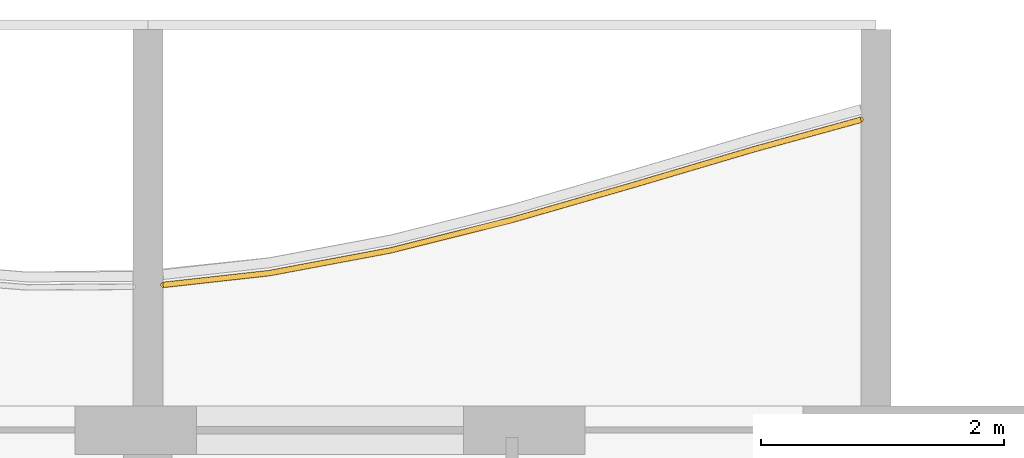
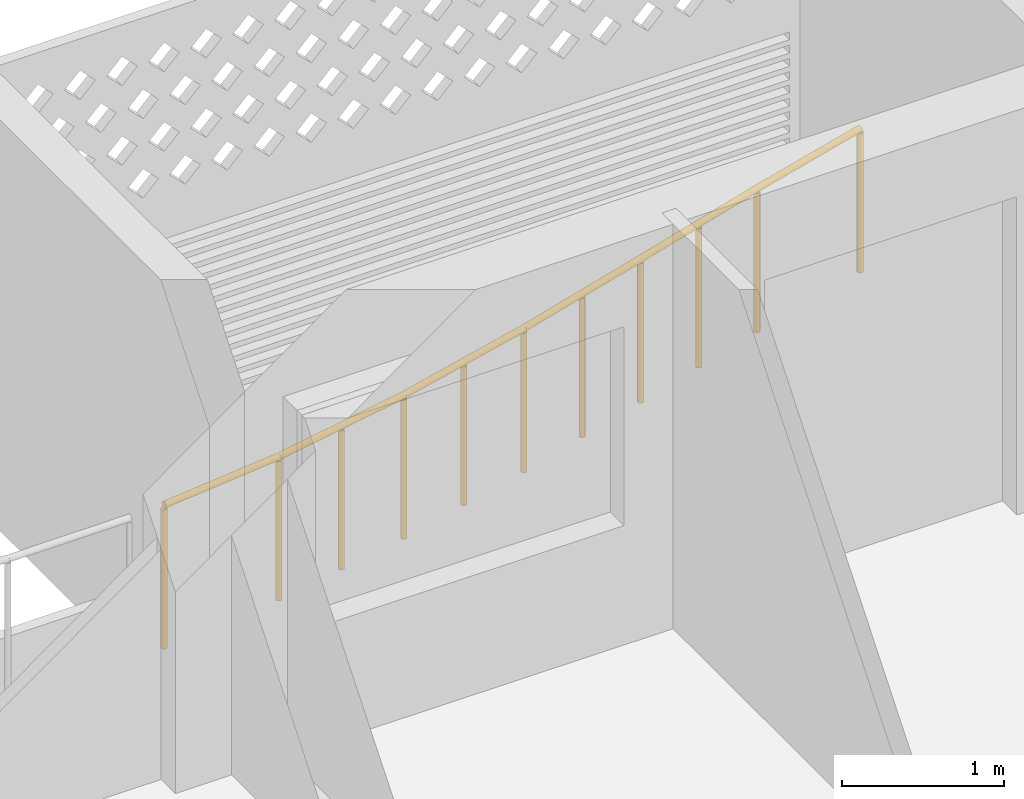
# One storey, part 37 of 38: 1 railing.
"""IFC4 building model written with IfcOpenShell, lengths in metres."""

import ifcopenshell
import ifcopenshell.guid

model = None  # the IFC model being written
_history = None  # IfcOwnerHistory: only IFC2X3 demands one
_inside = {}  # id of a spatial element -> (the spatial element, [elements in it])
_under = {}  # id of a project, library or spatial element -> (it, [spatial elements below it])
_declared = {}  # id of a project -> (the project, [libraries it declares])
_typed = {}  # id of a type object -> (the type object, [elements of that type])
_made_of = {}  # id of a material, layer set ... -> (it, [elements and type objects made of it])


def new_model(schema):
    """Start an empty IFC model of exactly this schema.

    Asked for "IFC4X3", IfcOpenShell would pick the latest addendum, in which some entities
    have other attributes; the version numbers below select the first issue.
    IFC2X3 requires an IfcOwnerHistory on every rooted entity: one is made here for all.
    """
    global model, _history
    if schema == "IFC4X3":
        model = ifcopenshell.file(schema_version=(4, 3, 0, 0))
    else:
        model = ifcopenshell.file(schema=schema)
    _inside.clear()
    _under.clear()
    _declared.clear()
    _typed.clear()
    _made_of.clear()
    _history = None
    if model.schema == "IFC2X3":
        org = make("IfcOrganization", Name="unknown")
        user = make(
            "IfcPersonAndOrganization",
            ThePerson=make("IfcPerson", FamilyName="unknown"),
            TheOrganization=org,
        )
        app = make(
            "IfcApplication",
            ApplicationDeveloper=org,
            Version="unknown",
            ApplicationFullName="unknown",
            ApplicationIdentifier="unknown",
        )
        _history = make(
            "IfcOwnerHistory",
            OwningUser=user,
            OwningApplication=app,
            ChangeAction="ADDED",
            CreationDate=0,
        )
    return model


def make(cls, **values):
    """One entity of the class cls with the attributes given. An attribute that is None is left unset."""
    return model.create_entity(
        cls, **{name: value for name, value in values.items() if value is not None}
    )


def rooted(cls, **values):
    """An entity with a GlobalId (a new one), such as an element, a storey or a relation."""
    return make(cls, GlobalId=ifcopenshell.guid.new(), OwnerHistory=_history, **values)


def si_unit(unit_type, name, prefix=None):
    """IfcSIUnit, for example si_unit("LENGTHUNIT", "METRE", prefix="MILLI")."""
    return make("IfcSIUnit", UnitType=unit_type, Prefix=prefix, Name=name)


def assignment(units):
    """IfcUnitAssignment: the units of a project."""
    return None if units is None else make("IfcUnitAssignment", Units=units)


def point(xyz):
    """IfcCartesianPoint."""
    return None if xyz is None else make("IfcCartesianPoint", Coordinates=xyz)


def direction(xyz):
    """IfcDirection."""
    return None if xyz is None else make("IfcDirection", DirectionRatios=xyz)


def frame(location, z_axis=None, x_axis=None):
    """IfcAxis2Placement3D, a coordinate frame: its origin and axes. An axis left out is left unset."""
    return make(
        "IfcAxis2Placement3D",
        Location=point(location),
        Axis=direction(z_axis),
        RefDirection=direction(x_axis),
    )


def frame_2d(location, x_axis=None):
    """IfcAxis2Placement2D, a coordinate frame in the plane: its origin and x axis."""
    return make(
        "IfcAxis2Placement2D", Location=point(location), RefDirection=direction(x_axis)
    )


def origin():
    """The frame at (0, 0, 0) with its axes left unset."""
    return frame((0.0, 0.0, 0.0))


def origin_2d():
    """The frame at (0, 0) in the plane with its x axis left unset."""
    return frame_2d((0.0, 0.0))


def place(relative_to, where):
    """IfcLocalPlacement: puts the frame where relative to a parent placement (None: the world)."""
    return make(
        "IfcLocalPlacement", PlacementRelTo=relative_to, RelativePlacement=where
    )


def context(
    kind, dimensions, precision=None, world=None, true_north=None, identifier=None
):
    """IfcGeometricRepresentationContext, for example the 3D "Model" context."""
    return make(
        "IfcGeometricRepresentationContext",
        ContextIdentifier=identifier,
        ContextType=kind,
        CoordinateSpaceDimension=dimensions,
        Precision=precision,
        WorldCoordinateSystem=world,
        TrueNorth=true_north,
    )


def subcontext(parent, identifier, kind, view, scale=None):
    """IfcGeometricRepresentationSubContext, for example "Body" below "Model"."""
    return make(
        "IfcGeometricRepresentationSubContext",
        ContextIdentifier=identifier,
        ContextType=kind,
        ParentContext=parent,
        TargetScale=scale,
        TargetView=view,
    )


def project(units=None, contexts=None):
    """IfcProject with its units and contexts."""
    return rooted(
        "IfcProject",
        Name="project",
        RepresentationContexts=contexts,
        UnitsInContext=assignment(units),
    )


def spatial(cls, under=None, at=None, **own):
    """A site, building, storey or space (cls), placed at a placement, below another one or the project."""
    s = rooted(cls, ObjectPlacement=at, **own)
    if under is not None:
        _under.setdefault(under.id(), (under, []))[1].append(s)
    return s


def profile(cls, at=None, kind="AREA", **sizes):
    """A parametric profile (cls). Its sizes go by their IFC names, for example OverallWidth=200.0."""
    return make(cls, ProfileType=kind, Position=at, **sizes)


def circle(**sizes):
    """IfcCircleProfileDef."""
    return profile("IfcCircleProfileDef", **sizes)


def extrude(swept, where, along, depth):
    """IfcExtrudedAreaSolid: the profile swept, set in the frame where, extruded along a direction by depth."""
    return make(
        "IfcExtrudedAreaSolid",
        SweptArea=swept,
        Position=where,
        ExtrudedDirection=direction(along),
        Depth=depth,
    )


def shape(context_of_items, identifier, shape_type, items):
    """IfcShapeRepresentation: the items that make up one representation, for example the "Body"."""
    return make(
        "IfcShapeRepresentation",
        ContextOfItems=context_of_items,
        RepresentationIdentifier=identifier,
        RepresentationType=shape_type,
        Items=items,
    )


def material(Name=None, Category=None):
    """IfcMaterial."""
    return make("IfcMaterial", Name=Name, Category=Category)


def made_of(thing, what):
    """Note that an element or type object is made of a material, layer set ...; save() writes the relation."""
    if what is not None:
        _made_of.setdefault(what.id(), (what, []))[1].append(thing)
    return thing


def type_object(cls, material=None, **own):
    """A type object (cls), such as IfcWallType, which elements share."""
    return made_of(rooted(cls, **own), material)


def element(
    cls,
    number,
    at=None,
    inside=None,
    cuts=None,
    type_object=None,
    material=None,
    context=None,
    identifier="Body",
    shape_type=None,
    held_by="IfcProductDefinitionShape",
    body=None,
    shapes=None,
    **own,
):
    """One element of the class cls, such as IfcWall. Its Tag is "e" and its number.

    at: its placement. inside: the storey or other place that contains it. cuts: it is an
    opening in that element (IfcRelVoidsElement). A single representation is given by context,
    identifier, shape_type and body (its items); several are given by shapes. held_by: the class
    of the entity that holds the representations. save() writes the other relations.
    """
    e = rooted(cls, Tag="e%d" % number, ObjectPlacement=at, **own)
    if body is not None:
        shapes = [shape(context, identifier, shape_type, body)]
    if shapes is not None:
        e.Representation = make(held_by, Representations=shapes)
    if inside is not None:
        _inside.setdefault(inside.id(), (inside, []))[1].append(e)
    if cuts is not None:
        rooted(
            "IfcRelVoidsElement", RelatingBuildingElement=cuts, RelatedOpeningElement=e
        )
    if type_object is not None:
        _typed.setdefault(type_object.id(), (type_object, []))[1].append(e)
    return made_of(e, material)


def aggregate(whole, parts):
    """IfcRelAggregates: a whole, such as a stair, and the parts it consists of."""
    return rooted("IfcRelAggregates", RelatingObject=whole, RelatedObjects=parts)


def save(model, path):
    """Write the relations noted so far, then the file.

    IfcRelAggregates (storeys below a building ...), IfcRelContainedInSpatialStructure (elements
    in a storey), IfcRelDefinesByType, IfcRelAssociatesMaterial and IfcRelDeclares: one each for
    every whole, place, type object, material and project.
    """
    for whole, parts in _under.values():
        aggregate(whole, parts)
    for where, things in _inside.values():
        rooted(
            "IfcRelContainedInSpatialStructure",
            RelatedElements=things,
            RelatingStructure=where,
        )
    for kind, things in _typed.values():
        rooted("IfcRelDefinesByType", RelatedObjects=things, RelatingType=kind)
    for what, things in _made_of.values():
        rooted("IfcRelAssociatesMaterial", RelatedObjects=things, RelatingMaterial=what)
    for by, libraries in _declared.values():
        rooted("IfcRelDeclares", RelatingContext=by, RelatedDefinitions=libraries)
    model.write(path)


model = new_model("IFC4")

# Units and contexts
model_context = context("Model", 3, precision=1e-05, world=origin(), true_north=direction((0.0, 1.0)))
body_context = subcontext(model_context, "Body", "Model", "MODEL_VIEW")
ifc_project = project(units=[si_unit("LENGTHUNIT", "METRE"), si_unit("AREAUNIT", "SQUARE_METRE"), si_unit("VOLUMEUNIT", "CUBIC_METRE"), si_unit("PLANEANGLEUNIT", "RADIAN"), si_unit("MASSUNIT", "GRAM", prefix="KILO")], contexts=[model_context])

# Site, building, storey
site_placement = place(None, origin())
site = spatial("IfcSite", under=ifc_project, at=site_placement, CompositionType="ELEMENT")
building_placement = place(site_placement, origin())
building = spatial("IfcBuilding", under=site, at=building_placement, Name="Poui Terraces", CompositionType="ELEMENT")
storey_placement = place(building_placement, frame((0.0, 0.0, 43.199951171875)))
storey = spatial("IfcBuildingStorey", under=building, at=storey_placement, Name="L11", CompositionType="ELEMENT", Elevation=43.199951171875)

# Railing
ifc_material = material(Name="Painted steel fretwork", Category="steel")
railing_type = type_object("IfcRailingType", Name="BALCONY GUARD 1100", PredefinedType="GUARDRAIL", material=ifc_material)
railing_placement = place(storey_placement, frame((90.125, 45.996826171875, 0.0)))
element("IfcRailing", 1, at=railing_placement, inside=storey, type_object=railing_type, Name="BALCONY GUARD", PredefinedType="GUARDRAIL", context=body_context, shape_type="SweptSolid", body=[
    extrude(circle(Radius=0.02392578125, at=origin_2d()), frame((0.0, 0.0, 1.076171875), z_axis=(0.993890496546, 0.110370652239, 0.0), x_axis=(-0.110370652239, 0.993890496546, 0.0)), (0.0, 0.0, 1.0), 0.88037109375),
    extrude(circle(Radius=0.02392578125, at=origin_2d()), frame((0.875, 0.09716796875, 1.076171875), z_axis=(0.982872186934, 0.18428853505, 0.0), x_axis=(-0.18428853505, 0.982872186934, 0.0)), (0.0, 0.0, 1.0), 1.017333984375),
    extrude(circle(Radius=0.02392578125, at=origin_2d()), frame((1.875, 0.28466796875, 1.076171875), z_axis=(0.969919223088, 0.243426992513, 0.0), x_axis=(-0.243426992513, 0.969919223088, 0.0)), (0.0, 0.0, 1.0), 1.031005859375),
    extrude(circle(Radius=0.02392578125, at=origin_2d()), frame((2.875, 0.53564453125, 1.076171875), z_axis=(0.960919647927, 0.276827437635, 0.0), x_axis=(-0.276827437635, 0.960919647927, 0.0)), (0.0, 0.0, 1.0), 1.040771484375),
    extrude(circle(Radius=0.02392578125, at=origin_2d()), frame((3.875, 0.82373046875, 1.076171875), z_axis=(0.958901964879, 0.283737593123, 0.0), x_axis=(-0.283737593123, 0.958901964879, 0.0)), (0.0, 0.0, 1.0), 1.04296875),
    extrude(circle(Radius=0.02392578125, at=origin_2d()), frame((4.875, 1.11962890625, 1.076171875), z_axis=(0.964109044375, 0.265506592299, 0.0), x_axis=(-0.265506592299, 0.964109044375, 0.0)), (0.0, 0.0, 1.0), 0.907470703125),
    extrude(circle(Radius=0.02099609375, at=origin_2d()), origin(), (0.0, 0.0, 1.0), 1.052001953125),
    extrude(circle(Radius=0.02099609375, at=origin_2d()), frame((0.875, 0.09716796875, 0.0)), (0.0, 0.0, 1.0), 1.052001953125),
    extrude(circle(Radius=0.02099609375, at=origin_2d()), frame((1.375, 0.19091796875, 0.0)), (0.0, 0.0, 1.0), 1.052001953125),
    extrude(circle(Radius=0.02099609375, at=origin_2d()), frame((1.875, 0.28466796875, 0.0)), (0.0, 0.0, 1.0), 1.052001953125),
    extrude(circle(Radius=0.02099609375, at=origin_2d()), frame((2.375, 0.41015625, 0.0)), (0.0, 0.0, 1.0), 1.052001953125),
    extrude(circle(Radius=0.02099609375, at=origin_2d()), frame((2.875, 0.53564453125, 0.0)), (0.0, 0.0, 1.0), 1.052001953125),
    extrude(circle(Radius=0.02099609375, at=origin_2d()), frame((3.375, 0.6796875, 0.0)), (0.0, 0.0, 1.0), 1.052001953125),
    extrude(circle(Radius=0.02099609375, at=origin_2d()), frame((3.875, 0.82373046875, 0.0)), (0.0, 0.0, 1.0), 1.052001953125),
    extrude(circle(Radius=0.02099609375, at=origin_2d()), frame((4.375, 0.9716796875, 0.0)), (0.0, 0.0, 1.0), 1.052001953125),
    extrude(circle(Radius=0.02099609375, at=origin_2d()), frame((4.875, 1.11962890625, 0.0)), (0.0, 0.0, 1.0), 1.052001953125),
    extrude(circle(Radius=0.02099609375, at=origin_2d()), frame((5.75, 1.360595703125, 0.0)), (0.0, 0.0, 1.0), 1.052001953125),
])

save(model, "model.ifc")
